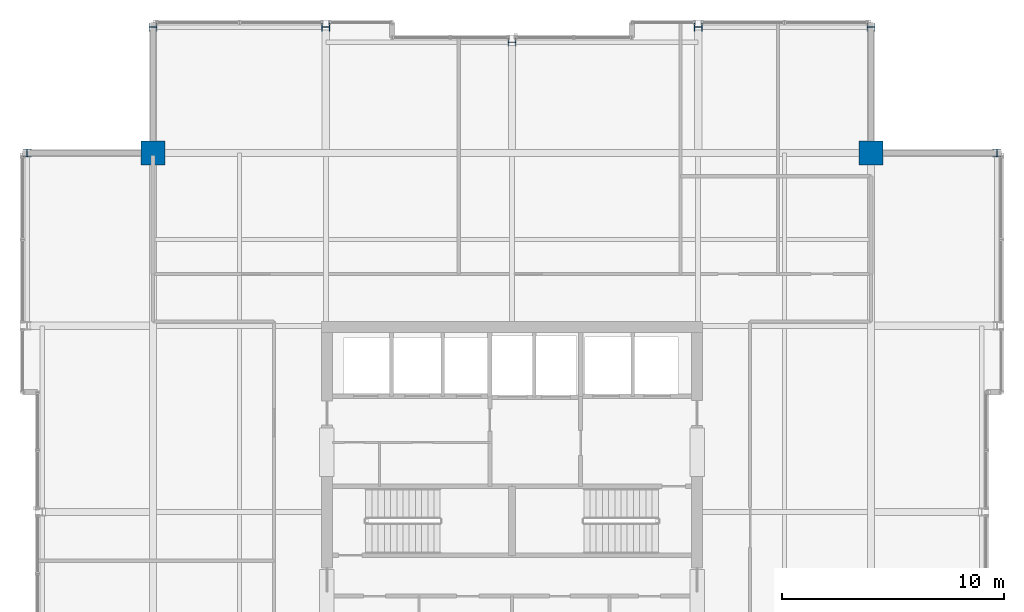
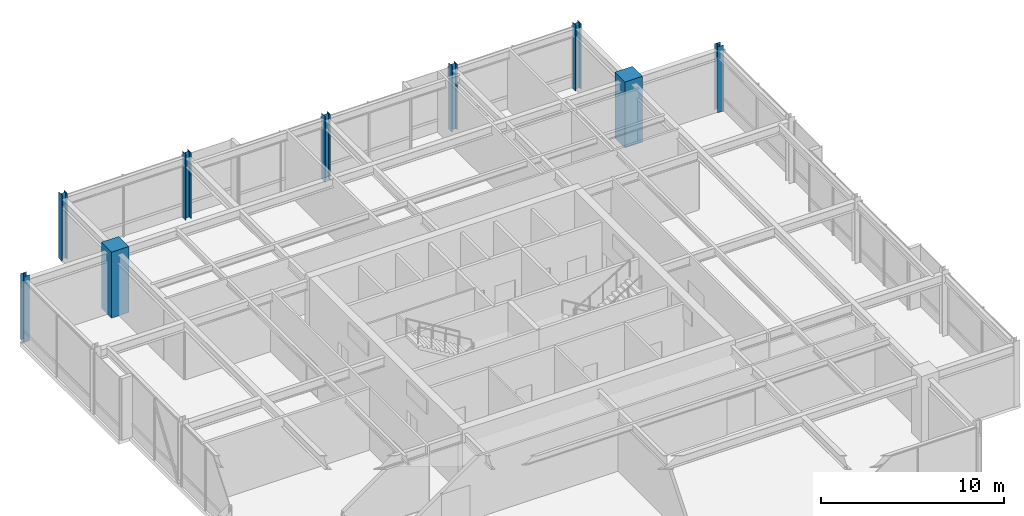
# One storey, part 3 of 34: 9 columns.
"""IFC4 building model written with IfcOpenShell, lengths in metres."""

from ifc_helpers import new_model, si_unit, direction, frame, origin, origin_2d, place, context, subcontext, project, spatial, rectangle, i_section, extrude, material, material_profile, profile_set, type_object, element, save


model = new_model("IFC4")

# Units and contexts
model_context = context("Model", 3, precision=1e-05, world=origin(), true_north=direction((0.0, 1.0)))
body_context = subcontext(model_context, "Body", "Model", "MODEL_VIEW")
ifc_project = project(units=[si_unit("LENGTHUNIT", "METRE"), si_unit("AREAUNIT", "SQUARE_METRE"), si_unit("VOLUMEUNIT", "CUBIC_METRE"), si_unit("PLANEANGLEUNIT", "RADIAN"), si_unit("MASSUNIT", "GRAM", prefix="KILO")], contexts=[model_context])

# Site, building, storey
site_placement = place(None, origin())
site = spatial("IfcSite", under=ifc_project, at=site_placement, CompositionType="ELEMENT")
building_placement = place(site_placement, origin())
building = spatial("IfcBuilding", under=site, at=building_placement, Name="Drelvath Grand Hotel", CompositionType="ELEMENT")
storey_placement = place(building_placement, frame((0.0, 0.0, 294.199951171875)))
storey = spatial("IfcBuildingStorey", under=building, at=storey_placement, Name="L77", CompositionType="ELEMENT", Elevation=294.199951171875)

# Columns
ifc_material_1 = material(Name="Concrete f'c 55 MPa", Category="concrete")
ifc_material_profile_1 = material_profile(ifc_material_1, rectangle(XDim=1.10009765625, YDim=1.10009765625, at=origin_2d()), Name="MC1100X1100")
ifc_profile_set_1 = profile_set([ifc_material_profile_1], Name="Concrete f'c 55 MPa")
column_type_1 = type_object("IfcColumnType", Name="Composite Mega Column MC1100X1100", PredefinedType="COLUMN", material=ifc_profile_set_1)
for number, where, z_axis, x_axis, name in (
    (1, (-16.199951171875, 43.199951171875, 0.0), (0.0, 0.0, 1.0), (1.0, 0.0, 0.0), "L77 Composite Mega Column MC-NW"),
    (2, (16.199951171875, 43.199951171875, 0.0), (0.0, 0.0, 1.0), (1.0, 0.0, 0.0), "L77 Composite Mega Column MC-NE"),
):
    element("IfcColumn", number, at=place(storey_placement, frame(where, z_axis=z_axis, x_axis=x_axis)), inside=storey, type_object=column_type_1, Name=name, PredefinedType="COLUMN", context=body_context, shape_type="SweptSolid", body=[
        extrude(rectangle(XDim=1.10009765625, YDim=1.10009765625, at=origin_2d()), origin(), (0.0, 0.0, 1.0), 4.400146484375),
    ])
ifc_material_2 = material(Name="Steel ASTM A913 Gr 65", Category="steel")
ifc_material_profile_2 = material_profile(ifc_material_2, i_section(OverallWidth=0.368896484375, OverallDepth=0.356201171875, WebThickness=0.01123046875, FlangeThickness=0.01806640625, FilletRadius=0.02490234375, at=origin_2d()), Name="W14X90")
ifc_profile_set_2 = profile_set([ifc_material_profile_2], Name="Steel ASTM A913 Gr 65")
column_type_2 = type_object("IfcColumnType", Name="Perimeter Steel Column W14X90", PredefinedType="COLUMN", material=ifc_profile_set_2)
for number, where, z_axis, x_axis, name in (
    (3, (-21.8798828125, 43.199951171875, 0.0), (0.0, 0.0, 1.0), (1.0, 0.0, 0.0), "L77 Structural Column TCW-G"),
    (4, (21.8798828125, 43.199951171875, 0.0), (0.0, 0.0, 1.0), (1.0, 0.0, 0.0), "L77 Structural Column TCE-G"),
    (5, (-16.199951171875, 48.8798828125, 0.0), (0.0, 0.0, 1.0), (0.0, 1.0, 0.0), "L77 Structural Column TCN-3"),
    (6, (-8.39990234375, 48.8798828125, 0.0), (0.0, 0.0, 1.0), (0.0, 1.0, 0.0), "L77 Structural Column TCN-4"),
    (7, (0.0, 48.199951171875, 0.0), (0.0, 0.0, 1.0), (0.0, 1.0, 0.0), "L77 Structural Column TCN-5"),
    (8, (8.39990234375, 48.8798828125, 0.0), (0.0, 0.0, 1.0), (0.0, 1.0, 0.0), "L77 Structural Column TCN-6"),
    (9, (16.199951171875, 48.8798828125, 0.0), (0.0, 0.0, 1.0), (0.0, 1.0, 0.0), "L77 Structural Column TCN-7"),
):
    element("IfcColumn", number, at=place(storey_placement, frame(where, z_axis=z_axis, x_axis=x_axis)), inside=storey, type_object=column_type_2, Name=name, PredefinedType="COLUMN", context=body_context, shape_type="SweptSolid", body=[
        extrude(i_section(OverallWidth=0.368896484375, OverallDepth=0.356201171875, WebThickness=0.01123046875, FlangeThickness=0.01806640625, FilletRadius=0.02490234375, at=origin_2d()), origin(), (0.0, 0.0, 1.0), 4.39697265625),
    ])

save(model, "model.ifc")
